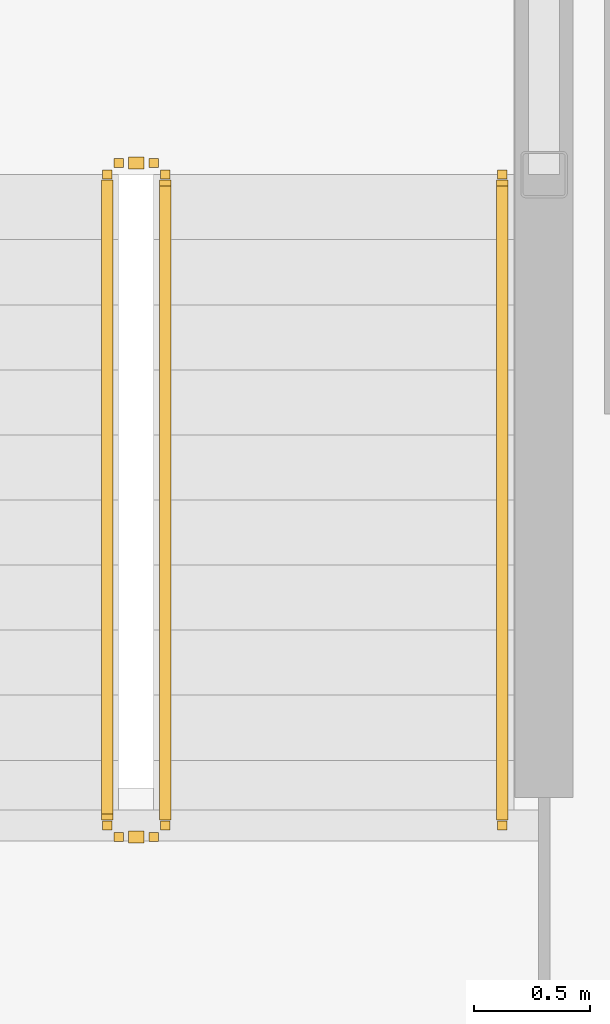
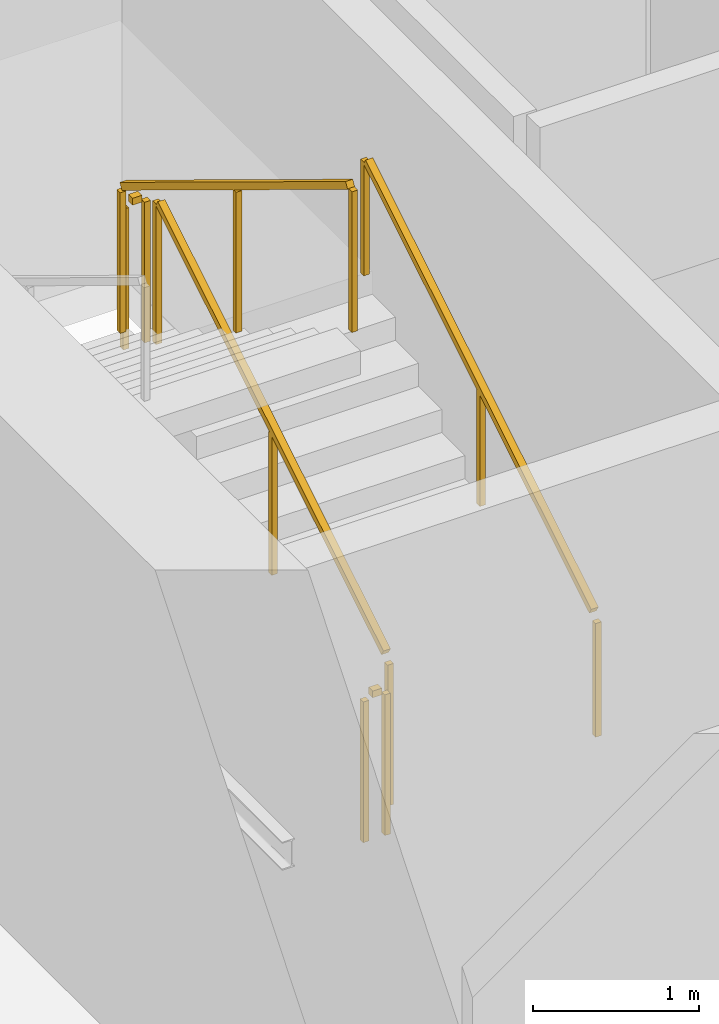
# One storey, part 17 of 20: 5 railings.
"""IFC4 building model written with IfcOpenShell, lengths in metres."""

from ifc_helpers import new_model, si_unit, direction, frame, origin, origin_2d, place, context, subcontext, project, spatial, rectangle, extrude, material, type_object, element, save


model = new_model("IFC4")

# Units and contexts
model_context = context("Model", 3, precision=1e-05, world=origin(), true_north=direction((0.0, 1.0)))
body_context = subcontext(model_context, "Body", "Model", "MODEL_VIEW")
ifc_project = project(units=[si_unit("LENGTHUNIT", "METRE"), si_unit("AREAUNIT", "SQUARE_METRE"), si_unit("VOLUMEUNIT", "CUBIC_METRE"), si_unit("PLANEANGLEUNIT", "RADIAN"), si_unit("MASSUNIT", "GRAM", prefix="KILO")], contexts=[model_context])

# Site, building, storey
site_placement = place(None, origin())
site = spatial("IfcSite", under=ifc_project, at=site_placement, CompositionType="ELEMENT")
building_placement = place(site_placement, origin())
building = spatial("IfcBuilding", under=site, at=building_placement, Name="Kazma Halo Residences", CompositionType="ELEMENT")
storey_placement = place(building_placement, frame((0.0, 0.0, 161.550048828125)))
storey = spatial("IfcBuildingStorey", under=building, at=storey_placement, Name="L40", CompositionType="ELEMENT", Elevation=161.550048828125)

# Railings
ifc_material_1 = material(Name="Painted Steel S355", Category="steel")
railing_type_1 = type_object("IfcRailingType", Name="RLG-STAIR-GRD-1100", PredefinedType="GUARDRAIL", material=ifc_material_1)
railing_1_placement = place(storey_placement, frame((39.550048828125, 39.949951171875, 0.17041015625)))
element("IfcRailing", 1, at=railing_1_placement, inside=storey, type_object=railing_type_1, Name="L40 ST-01 stair guard 1", PredefinedType="GUARDRAIL", context=body_context, shape_type="SweptSolid", body=[
    extrude(rectangle(XDim=0.050048828125, YDim=0.050048828125, at=origin_2d()), frame((0.0, 0.036376953125, 1.09716796875), z_axis=(0.0, 0.854169791009, 0.51999420009), x_axis=(-1.0, 0.0, 0.0)), (0.0, 0.0, 1.0), 3.193115234375),
    extrude(rectangle(XDim=0.0400390625, YDim=0.0400390625, at=origin_2d()), origin(), (0.0, 0.0, 1.0), 1.0380859375),
    extrude(rectangle(XDim=0.0400390625, YDim=0.0400390625, at=origin_2d()), frame((0.0, 1.39990234375, 0.852294921875)), (0.0, 0.0, 1.0), 1.0380859375),
    extrude(rectangle(XDim=0.0400390625, YDim=0.0400390625, at=origin_2d()), frame((0.0, 2.800048828125, 1.70458984375)), (0.0, 0.0, 1.0), 1.0380859375),
])
railing_2_placement = place(storey_placement, frame((39.5, 42.800048828125, 1.875)))
element("IfcRailing", 2, at=railing_2_placement, inside=storey, type_object=railing_type_1, Name="L40 ST-01 stair guard 2", PredefinedType="GUARDRAIL", context=body_context, shape_type="SweptSolid", body=[
    extrude(rectangle(XDim=0.050048828125, YDim=0.050048828125, at=origin_2d()), frame((-0.04248046875, 0.0, 1.0751953125), z_axis=(-1.0, 0.0, 0.0), x_axis=(0.0, -1.0, 0.0)), (0.0, 0.0, 1.0), 0.06494140625),
    extrude(rectangle(XDim=0.0400390625, YDim=0.0400390625, at=origin_2d()), origin(), (0.0, 0.0, 1.0), 1.0380859375),
    extrude(rectangle(XDim=0.0400390625, YDim=0.0400390625, at=origin_2d()), frame((-0.14990234375, 0.0, 0.0)), (0.0, 0.0, 1.0), 1.0380859375),
])
railing_3_placement = place(storey_placement, frame((39.300048828125, 42.75, 2.04541015625)))
element("IfcRailing", 3, at=railing_3_placement, inside=storey, type_object=railing_type_1, Name="L40 ST-01 stair guard 3", PredefinedType="GUARDRAIL", context=body_context, shape_type="SweptSolid", body=[
    extrude(rectangle(XDim=0.050048828125, YDim=0.050048828125, at=origin_2d()), frame((0.0, -0.036376953125, 1.09716796875), z_axis=(0.0, -0.854169791009, 0.51999420009), x_axis=(1.0, 0.0, 0.0)), (0.0, 0.0, 1.0), 3.193115234375),
    extrude(rectangle(XDim=0.0400390625, YDim=0.0400390625, at=origin_2d()), origin(), (0.0, 0.0, 1.0), 1.0380859375),
    extrude(rectangle(XDim=0.0400390625, YDim=0.0400390625, at=origin_2d()), frame((0.0, -1.39990234375, 0.852294921875)), (0.0, 0.0, 1.0), 1.0380859375),
    extrude(rectangle(XDim=0.0400390625, YDim=0.0400390625, at=origin_2d()), frame((0.0, -2.800048828125, 1.70458984375)), (0.0, 0.0, 1.0), 1.0380859375),
])
railing_4_placement = place(storey_placement, frame((39.5, 39.89990234375, 0.0)))
element("IfcRailing", 4, at=railing_4_placement, inside=storey, type_object=railing_type_1, Name="L40 ST-01 stair guard 4", PredefinedType="GUARDRAIL", context=body_context, shape_type="SweptSolid", body=[
    extrude(rectangle(XDim=0.050048828125, YDim=0.050048828125, at=origin_2d()), frame((-0.04248046875, 0.0, 1.0751953125), z_axis=(-1.0, 0.0, 0.0), x_axis=(0.0, -1.0, 0.0)), (0.0, 0.0, 1.0), 0.06494140625),
    extrude(rectangle(XDim=0.0400390625, YDim=0.0400390625, at=origin_2d()), origin(), (0.0, 0.0, 1.0), 1.0380859375),
    extrude(rectangle(XDim=0.0400390625, YDim=0.0400390625, at=origin_2d()), frame((-0.14990234375, 0.0, 0.0)), (0.0, 0.0, 1.0), 1.0380859375),
])
ifc_material_2 = material(Name="Brushed Stainless Steel", Category="steel")
railing_type_2 = type_object("IfcRailingType", Name="RLG-STAIR-HND-900", PredefinedType="HANDRAIL", material=ifc_material_2)
railing_5_placement = place(storey_placement, frame((41.0, 39.949951171875, 0.17041015625)))
element("IfcRailing", 5, at=railing_5_placement, inside=storey, type_object=railing_type_2, Name="L40 ST-01 stair handrail 1", PredefinedType="HANDRAIL", context=body_context, shape_type="SweptSolid", body=[
    extrude(rectangle(XDim=0.050048828125, YDim=0.050048828125, at=origin_2d()), frame((0.0, 0.036376953125, 0.89697265625), z_axis=(0.0, 0.854169791009, 0.51999420009), x_axis=(-1.0, 0.0, 0.0)), (0.0, 0.0, 1.0), 3.193115234375),
    extrude(rectangle(XDim=0.0400390625, YDim=0.0400390625, at=origin_2d()), origin(), (0.0, 0.0, 1.0), 0.837890625),
    extrude(rectangle(XDim=0.0400390625, YDim=0.0400390625, at=origin_2d()), frame((0.0, 1.39990234375, 0.852294921875)), (0.0, 0.0, 1.0), 0.837890625),
    extrude(rectangle(XDim=0.0400390625, YDim=0.0400390625, at=origin_2d()), frame((0.0, 2.800048828125, 1.70458984375)), (0.0, 0.0, 1.0), 0.837890625),
])

save(model, "model.ifc")
